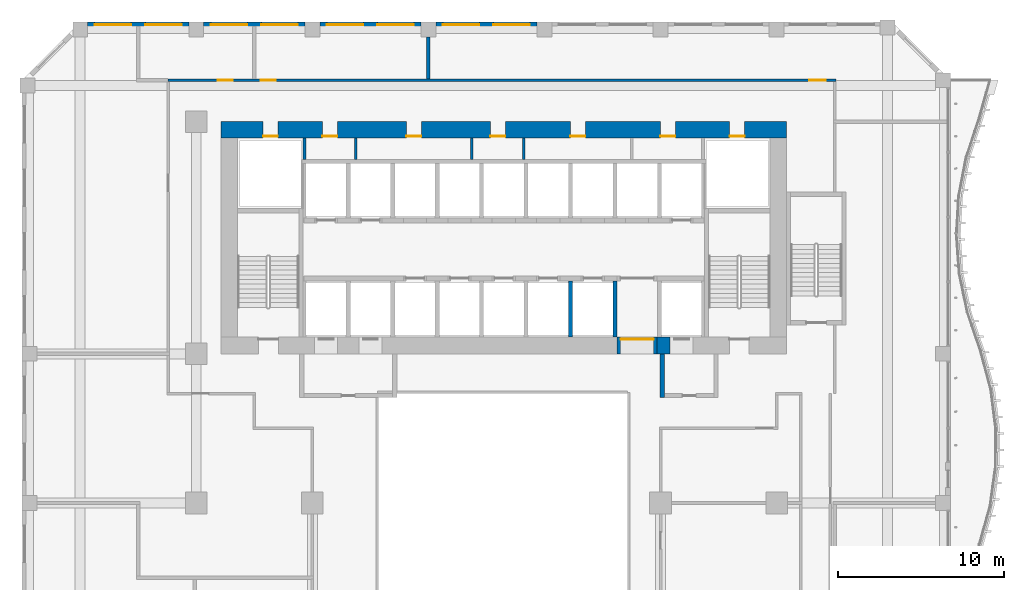
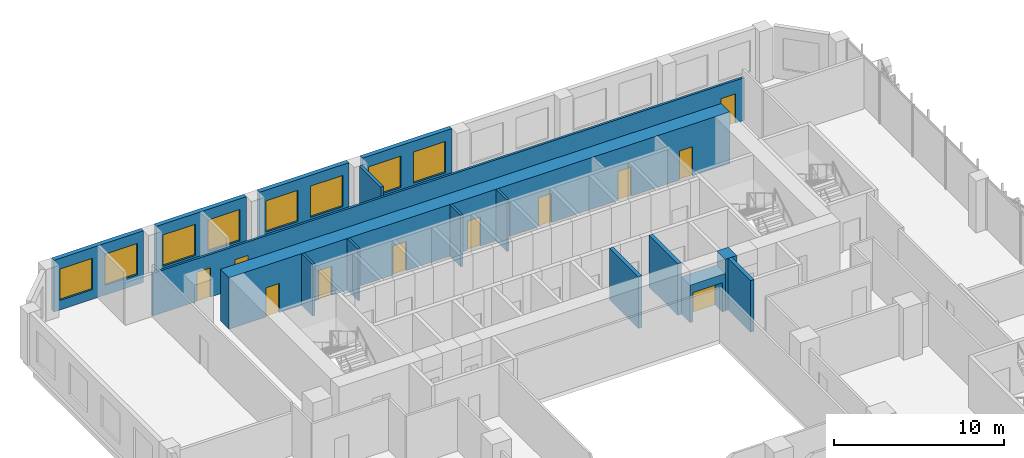
# One storey, part 16 of 27: 16 walls, 11 doors, 8 windows, 19 openings.
"""IFC4 building model written with IfcOpenShell, lengths in metres."""

from ifc_helpers import new_model, si_unit, direction, frame, frame_2d, origin, place, context, subcontext, project, spatial, rectangle, extrude, source, transform, mapped, material, layer, layer_set, type_object, element, fill, save


model = new_model("IFC4")

# Units and contexts
model_context = context("Model", 3, precision=1e-05, world=origin(), true_north=direction((0.0, 1.0)))
body_context = subcontext(model_context, "Body", "Model", "MODEL_VIEW")
ifc_project = project(units=[si_unit("LENGTHUNIT", "METRE"), si_unit("AREAUNIT", "SQUARE_METRE"), si_unit("VOLUMEUNIT", "CUBIC_METRE"), si_unit("PLANEANGLEUNIT", "RADIAN"), si_unit("MASSUNIT", "GRAM", prefix="KILO")], contexts=[model_context])

# Site, building, storey
site_placement = place(None, origin())
site = spatial("IfcSite", under=ifc_project, at=site_placement, CompositionType="ELEMENT")
building_placement = place(site_placement, origin())
building = spatial("IfcBuilding", under=site, at=building_placement, Name="Kilnfold Tower and Market Hall", CompositionType="ELEMENT")
storey_placement = place(building_placement, frame((0.0, 0.0, 51.0)))
storey = spatial("IfcBuildingStorey", under=building, at=storey_placement, Name="L11", CompositionType="ELEMENT", Elevation=51.0)

# Wall, openings, doors
ifc_material_1 = material(Name="Gypsum board on steel studs", Category="steel")
ifc_layer_1 = layer(ifc_material_1, 0.14990234375)
ifc_layer_set_1 = layer_set([ifc_layer_1], Name="Gypsum board on steel studs")
wall_type_1 = type_object("IfcWallType", Name="WALL CORRIDOR 150", PredefinedType="PARTITIONING", material=ifc_layer_set_1)
wall_1_placement = place(storey_placement, frame((-19.199951171875, 24.5, 0.0), z_axis=(0.0, 0.0, 1.0), x_axis=(1.0, 0.0, 0.0)))
wall_1 = element("IfcWall", 1, at=wall_1_placement, inside=storey, type_object=wall_type_1, Name="Partition LY10.40", PredefinedType="PARTITIONING", context=body_context, shape_type="SweptSolid", body=[
    extrude(rectangle(XDim=40.27490234375, YDim=0.14990234375, at=frame_2d((20.137451171875, 0.0))), origin(), (0.0, 0.0, 1.0), 3.070068359375),
])
opening_1_placement = place(wall_1_placement, frame((3.007080078125, 0.0, 0.0)))
opening_1 = element("IfcOpeningElement", 2, at=opening_1_placement, cuts=wall_1, Name="Opening D2", PredefinedType="OPENING", context=body_context, shape_type="SweptSolid", body=[
    extrude(rectangle(XDim=0.89990234375, YDim=2.10009765625, at=frame_2d((0.449951171875, 1.050048828125))), frame((0.0, 0.0849609375, 0.0), z_axis=(0.0, -1.0, 0.0), x_axis=(1.0, 0.0, 0.0)), (0.0, 0.0, 1.0), 0.169921875),
])
opening_2_placement = place(wall_1_placement, frame((5.590087890625, 0.0, 0.0)))
opening_2 = element("IfcOpeningElement", 3, at=opening_2_placement, cuts=wall_1, Name="Opening D3", PredefinedType="OPENING", context=body_context, shape_type="SweptSolid", body=[
    extrude(rectangle(XDim=0.89990234375, YDim=2.10009765625, at=frame_2d((0.449951171875, 1.050048828125))), frame((0.0, 0.0849609375, 0.0), z_axis=(0.0, -1.0, 0.0), x_axis=(1.0, 0.0, 0.0)), (0.0, 0.0, 1.0), 0.169921875),
])
opening_3_placement = place(wall_1_placement, frame((38.674072265625, 0.0, 0.0)))
opening_3 = element("IfcOpeningElement", 4, at=opening_3_placement, cuts=wall_1, Name="Opening D1", PredefinedType="OPENING", context=body_context, shape_type="SweptSolid", body=[
    extrude(rectangle(XDim=1.0, YDim=2.10009765625, at=frame_2d((0.5, 1.050048828125))), frame((0.0, 0.0849609375, 0.0), z_axis=(0.0, -1.0, 0.0), x_axis=(1.0, 0.0, 0.0)), (0.0, 0.0, 1.0), 0.169921875),
])
ifc_material_2 = material(Name="Timber veneer door leaf in steel frame", Category="steel")
door_type_1 = type_object("IfcDoorType", Name="DOOR ENTRY 1000 X2100", OperationType="NOTDEFINED", PredefinedType="DOOR", material=ifc_material_2)
door_1_placement = place(opening_3_placement, origin())
door_1 = element("IfcDoor", 5, at=door_1_placement, inside=storey, type_object=door_type_1, Name="Door D1", OperationType="SINGLE_SWING_LEFT", OverallHeight=2.10009765625, OverallWidth=1.0, PredefinedType="DOOR", context=body_context, shape_type="SweptSolid", body=[
    extrude(rectangle(XDim=1.0, YDim=2.10009765625, at=frame_2d((0.5, 1.050048828125))), frame((0.0, 0.02490234375, 0.0), z_axis=(0.0, -1.0, 0.0), x_axis=(1.0, 0.0, 0.0)), (0.0, 0.0, 1.0), 0.050048828125),
])
fill(opening_3, door_1)
ifc_material_3 = material(Name="Timber veneer door leaf in steel frame", Category="steel")
door_type_2 = type_object("IfcDoorType", Name="DOOR ROOM 900 X2100", OperationType="NOTDEFINED", PredefinedType="DOOR", material=ifc_material_3)
door_2_placement = place(opening_1_placement, origin())
door_2 = element("IfcDoor", 6, at=door_2_placement, inside=storey, type_object=door_type_2, Name="Door D2", OperationType="SINGLE_SWING_RIGHT", OverallHeight=2.10009765625, OverallWidth=0.89990234375, PredefinedType="DOOR", context=body_context, shape_type="SweptSolid", body=[
    extrude(rectangle(XDim=0.89990234375, YDim=2.10009765625, at=frame_2d((0.449951171875, 1.050048828125))), frame((0.0, 0.02490234375, 0.0), z_axis=(0.0, -1.0, 0.0), x_axis=(1.0, 0.0, 0.0)), (0.0, 0.0, 1.0), 0.050048828125),
])
fill(opening_1, door_2)
ifc_material_4 = material(Name="Timber veneer door leaf in steel frame", Category="steel")
door_type_3 = type_object("IfcDoorType", Name="DOOR WC 900 X2100", OperationType="NOTDEFINED", PredefinedType="DOOR", material=ifc_material_4)
door_3_placement = place(opening_2_placement, origin())
door_3 = element("IfcDoor", 7, at=door_3_placement, inside=storey, type_object=door_type_3, Name="Door D3", OperationType="SINGLE_SWING_LEFT", OverallHeight=2.10009765625, OverallWidth=0.89990234375, PredefinedType="DOOR", context=body_context, shape_type="SweptSolid", body=[
    extrude(rectangle(XDim=0.89990234375, YDim=2.10009765625, at=frame_2d((0.449951171875, 1.050048828125))), frame((0.0, 0.02490234375, 0.0), z_axis=(0.0, -1.0, 0.0), x_axis=(1.0, 0.0, 0.0)), (0.0, 0.0, 1.0), 0.050048828125),
])
fill(opening_2, door_3)

# Walls
ifc_material_5 = material(Name="Gypsum board on steel studs", Category="steel")
ifc_layer_2 = layer(ifc_material_5, 0.199951171875)
ifc_layer_set_2 = layer_set([ifc_layer_2], Name="Gypsum board on steel studs")
wall_type_2 = type_object("IfcWallType", Name="WALL PARTY 200", PredefinedType="PARTITIONING", material=ifc_layer_set_2)
wall_2_placement = place(storey_placement, frame((-3.5, 24.575927734375, 0.0), z_axis=(0.0, 0.0, 1.0), x_axis=(0.0, 1.0, 0.0)))
element("IfcWall", 8, at=wall_2_placement, inside=storey, type_object=wall_type_2, Name="Partition LY10.64", PredefinedType="PARTITIONING", context=body_context, shape_type="SweptSolid", body=[
    extrude(rectangle(XDim=2.524169921875, YDim=0.199951171875, at=frame_2d((1.26220703125, 0.0))), origin(), (0.0, 0.0, 1.0), 3.719970703125),
])
ifc_material_6 = material(Name="Concrete C80", Category="concrete")
ifc_layer_3 = layer(ifc_material_6, 1.0)
ifc_layer_set_3 = layer_set([ifc_layer_3], Name="Concrete C80")
wall_type_3 = type_object("IfcWallType", Name="CORE WALL 1000 C80", PredefinedType="SHEAR", material=ifc_layer_set_3)
shared_shape_1 = source(origin(), body_context, "Body", "SweptSolid", [
    extrude(rectangle(XDim=0.780029296875, YDim=1.0, at=frame_2d((0.39013671875, 0.0))), origin(), (0.0, 0.0, 1.0), 3.719970703125),
])
wall_3_placement = place(storey_placement, frame((10.2900390625, 8.5, 0.0), z_axis=(0.0, 0.0, 1.0), x_axis=(1.0, 0.0, 0.0)))
element("IfcWall", 9, at=wall_3_placement, inside=storey, type_object=wall_type_3, Name="Core outer wall south", PredefinedType="SHEAR", context=body_context, shape_type="MappedRepresentation", body=[
    mapped(shared_shape_1, transform((0.0, 0.0, 0.0))),
])

# Wall, openings, doors
shared_shape_2 = source(origin(), body_context, "Body", "SweptSolid", [
    extrude(rectangle(XDim=34.10009765625, YDim=1.0, at=frame_2d((17.050048828125, 0.0))), origin(), (0.0, 0.0, 1.0), 3.719970703125),
])
wall_4_placement = place(storey_placement, frame((-16.0, 21.5, 0.0), z_axis=(0.0, 0.0, 1.0), x_axis=(1.0, 0.0, 0.0)))
wall_4 = element("IfcWall", 10, at=wall_4_placement, inside=storey, type_object=wall_type_3, Name="Core outer wall north", PredefinedType="SHEAR", context=body_context, shape_type="MappedRepresentation", body=[
    mapped(shared_shape_2, transform((0.0, 0.0, 0.0))),
])
opening_4_placement = place(wall_4_placement, frame((6.10791015625, 0.0, 0.0)))
opening_4 = element("IfcOpeningElement", 11, at=opening_4_placement, cuts=wall_4, Name="Opening KD1", PredefinedType="OPENING", context=body_context, shape_type="SweptSolid", body=[
    extrude(rectangle(XDim=0.89990234375, YDim=2.10009765625, at=frame_2d((0.449951171875, 1.050048828125))), frame((0.0, 0.510009765625, 0.0), z_axis=(0.0, -1.0, 0.0), x_axis=(1.0, 0.0, 0.0)), (0.0, 0.0, 1.0), 1.02001953125),
])
opening_5_placement = place(wall_4_placement, frame((11.173095703125, 0.0, 0.0)))
opening_5 = element("IfcOpeningElement", 12, at=opening_5_placement, cuts=wall_4, Name="Opening KD1", PredefinedType="OPENING", context=body_context, shape_type="SweptSolid", body=[
    extrude(rectangle(XDim=0.89990234375, YDim=2.10009765625, at=frame_2d((0.449951171875, 1.050048828125))), frame((0.0, 0.510009765625, 0.0), z_axis=(0.0, -1.0, 0.0), x_axis=(1.0, 0.0, 0.0)), (0.0, 0.0, 1.0), 1.02001953125),
])
opening_6_placement = place(wall_4_placement, frame((16.23828125, 0.0, 0.0)))
opening_6 = element("IfcOpeningElement", 13, at=opening_6_placement, cuts=wall_4, Name="Opening KD1", PredefinedType="OPENING", context=body_context, shape_type="SweptSolid", body=[
    extrude(rectangle(XDim=0.89990234375, YDim=2.10009765625, at=frame_2d((0.449951171875, 1.050048828125))), frame((0.0, 0.510009765625, 0.0), z_axis=(0.0, -1.0, 0.0), x_axis=(1.0, 0.0, 0.0)), (0.0, 0.0, 1.0), 1.02001953125),
])
opening_7_placement = place(wall_4_placement, frame((21.062255859375, 0.0, 0.0)))
opening_7 = element("IfcOpeningElement", 14, at=opening_7_placement, cuts=wall_4, Name="Opening KD1", PredefinedType="OPENING", context=body_context, shape_type="SweptSolid", body=[
    extrude(rectangle(XDim=0.89990234375, YDim=2.10009765625, at=frame_2d((0.449951171875, 1.050048828125))), frame((0.0, 0.510009765625, 0.0), z_axis=(0.0, -1.0, 0.0), x_axis=(1.0, 0.0, 0.0)), (0.0, 0.0, 1.0), 1.02001953125),
])
opening_8_placement = place(wall_4_placement, frame((26.4892578125, 0.0, 0.0)))
opening_8 = element("IfcOpeningElement", 15, at=opening_8_placement, cuts=wall_4, Name="Opening KD1", PredefinedType="OPENING", context=body_context, shape_type="SweptSolid", body=[
    extrude(rectangle(XDim=0.89990234375, YDim=2.10009765625, at=frame_2d((0.449951171875, 1.050048828125))), frame((0.0, 0.510009765625, 0.0), z_axis=(0.0, -1.0, 0.0), x_axis=(1.0, 0.0, 0.0)), (0.0, 0.0, 1.0), 1.02001953125),
])
opening_9_placement = place(wall_4_placement, frame((2.52490234375, 0.0, 0.0)))
opening_9 = element("IfcOpeningElement", 16, at=opening_9_placement, cuts=wall_4, Name="Opening KD1", PredefinedType="OPENING", context=body_context, shape_type="SweptSolid", body=[
    extrude(rectangle(XDim=0.89990234375, YDim=2.10009765625, at=frame_2d((0.449951171875, 1.050048828125))), frame((0.0, 0.510009765625, 0.0), z_axis=(0.0, -1.0, 0.0), x_axis=(1.0, 0.0, 0.0)), (0.0, 0.0, 1.0), 1.02001953125),
])
opening_10_placement = place(wall_4_placement, frame((30.675048828125, 0.0, 0.0)))
opening_10 = element("IfcOpeningElement", 17, at=opening_10_placement, cuts=wall_4, Name="Opening KD1", PredefinedType="OPENING", context=body_context, shape_type="SweptSolid", body=[
    extrude(rectangle(XDim=0.89990234375, YDim=2.10009765625, at=frame_2d((0.449951171875, 1.050048828125))), frame((0.0, 0.510009765625, 0.0), z_axis=(0.0, -1.0, 0.0), x_axis=(1.0, 0.0, 0.0)), (0.0, 0.0, 1.0), 1.02001953125),
])
ifc_material_7 = material(Name="Steel door set with fire-resisting leaf", Category="steel")
door_type_4 = type_object("IfcDoorType", Name="SERVICE DOOR 900X2100", OperationType="NOTDEFINED", PredefinedType="DOOR", material=ifc_material_7)
door_4_placement = place(opening_4_placement, origin())
door_4 = element("IfcDoor", 18, at=door_4_placement, inside=storey, type_object=door_type_4, Name="Core service door", OperationType="SINGLE_SWING_RIGHT", OverallHeight=2.10009765625, OverallWidth=0.89990234375, PredefinedType="DOOR", context=body_context, shape_type="SweptSolid", body=[
    extrude(rectangle(XDim=0.89990234375, YDim=2.10009765625, at=frame_2d((0.449951171875, 1.050048828125))), frame((0.0, -0.35498046875, 0.0), z_axis=(0.0, -1.0, 0.0), x_axis=(1.0, 0.0, 0.0)), (0.0, 0.0, 1.0), 0.050048828125),
])
fill(opening_4, door_4)
door_5_placement = place(opening_5_placement, origin())
door_5 = element("IfcDoor", 19, at=door_5_placement, inside=storey, type_object=door_type_4, Name="Core service door", OperationType="SINGLE_SWING_LEFT", OverallHeight=2.10009765625, OverallWidth=0.89990234375, PredefinedType="DOOR", context=body_context, shape_type="SweptSolid", body=[
    extrude(rectangle(XDim=0.89990234375, YDim=2.10009765625, at=frame_2d((0.449951171875, 1.050048828125))), frame((0.0, -0.35498046875, 0.0), z_axis=(0.0, -1.0, 0.0), x_axis=(1.0, 0.0, 0.0)), (0.0, 0.0, 1.0), 0.050048828125),
])
fill(opening_5, door_5)
door_6_placement = place(opening_6_placement, origin())
door_6 = element("IfcDoor", 20, at=door_6_placement, inside=storey, type_object=door_type_4, Name="Core service door", OperationType="SINGLE_SWING_RIGHT", OverallHeight=2.10009765625, OverallWidth=0.89990234375, PredefinedType="DOOR", context=body_context, shape_type="SweptSolid", body=[
    extrude(rectangle(XDim=0.89990234375, YDim=2.10009765625, at=frame_2d((0.449951171875, 1.050048828125))), frame((0.0, -0.35498046875, 0.0), z_axis=(0.0, -1.0, 0.0), x_axis=(1.0, 0.0, 0.0)), (0.0, 0.0, 1.0), 0.050048828125),
])
fill(opening_6, door_6)
door_7_placement = place(opening_7_placement, origin())
door_7 = element("IfcDoor", 21, at=door_7_placement, inside=storey, type_object=door_type_4, Name="Core service door", OperationType="SINGLE_SWING_LEFT", OverallHeight=2.10009765625, OverallWidth=0.89990234375, PredefinedType="DOOR", context=body_context, shape_type="SweptSolid", body=[
    extrude(rectangle(XDim=0.89990234375, YDim=2.10009765625, at=frame_2d((0.449951171875, 1.050048828125))), frame((0.0, -0.35498046875, 0.0), z_axis=(0.0, -1.0, 0.0), x_axis=(1.0, 0.0, 0.0)), (0.0, 0.0, 1.0), 0.050048828125),
])
fill(opening_7, door_7)
door_8_placement = place(opening_8_placement, origin())
door_8 = element("IfcDoor", 22, at=door_8_placement, inside=storey, type_object=door_type_4, Name="Core service door", OperationType="SINGLE_SWING_RIGHT", OverallHeight=2.10009765625, OverallWidth=0.89990234375, PredefinedType="DOOR", context=body_context, shape_type="SweptSolid", body=[
    extrude(rectangle(XDim=0.89990234375, YDim=2.10009765625, at=frame_2d((0.449951171875, 1.050048828125))), frame((0.0, -0.35498046875, 0.0), z_axis=(0.0, -1.0, 0.0), x_axis=(1.0, 0.0, 0.0)), (0.0, 0.0, 1.0), 0.050048828125),
])
fill(opening_8, door_8)
door_9_placement = place(opening_9_placement, origin())
door_9 = element("IfcDoor", 23, at=door_9_placement, inside=storey, type_object=door_type_4, Name="Electrical riser access door", OperationType="SINGLE_SWING_LEFT", OverallHeight=2.10009765625, OverallWidth=0.89990234375, PredefinedType="DOOR", context=body_context, shape_type="SweptSolid", body=[
    extrude(rectangle(XDim=0.89990234375, YDim=2.10009765625, at=frame_2d((0.449951171875, 1.050048828125))), frame((0.0, -0.35498046875, 0.0), z_axis=(0.0, -1.0, 0.0), x_axis=(1.0, 0.0, 0.0)), (0.0, 0.0, 1.0), 0.050048828125),
])
fill(opening_9, door_9)
door_10_placement = place(opening_10_placement, origin())
door_10 = element("IfcDoor", 24, at=door_10_placement, inside=storey, type_object=door_type_4, Name="Mechanical riser access door", OperationType="SINGLE_SWING_RIGHT", OverallHeight=2.10009765625, OverallWidth=0.89990234375, PredefinedType="DOOR", context=body_context, shape_type="SweptSolid", body=[
    extrude(rectangle(XDim=0.89990234375, YDim=2.10009765625, at=frame_2d((0.449951171875, 1.050048828125))), frame((0.0, -0.35498046875, 0.0), z_axis=(0.0, -1.0, 0.0), x_axis=(1.0, 0.0, 0.0)), (0.0, 0.0, 1.0), 0.050048828125),
])
fill(opening_10, door_10)

# Wall, openings, windows
ifc_material_8 = material(Name="Precast concrete C50/60", Category="concrete")
ifc_layer_4 = layer(ifc_material_8, 0.300048828125)
ifc_layer_set_4 = layer_set([ifc_layer_4], Name="Precast concrete C50/60")
wall_type_4 = type_object("IfcWallType", Name="PRECAST WALL 300", PredefinedType="SOLIDWALL", material=ifc_layer_set_4)
shared_shape_3 = source(origin(), body_context, "Body", "SweptSolid", [
    extrude(rectangle(XDim=6.10009765625, YDim=0.300048828125, at=frame_2d((3.050048828125, 0.0))), origin(), (0.0, 0.0, 1.0), 3.719970703125),
])
wall_5_placement = place(storey_placement, frame((3.050048828125, 27.85009765625, 0.0), z_axis=(0.0, 0.0, 1.0), x_axis=(-1.0, 0.0, 0.0)))
wall_5 = element("IfcWall", 25, at=wall_5_placement, inside=storey, type_object=wall_type_4, Name="External wall L11 N", PredefinedType="SOLIDWALL", context=body_context, shape_type="MappedRepresentation", body=[
    mapped(shared_shape_3, transform((0.0, 0.0, 0.0))),
])
opening_11_placement = place(wall_5_placement, frame((0.425048828125, 0.0, 0.699951171875)))
opening_11 = element("IfcOpeningElement", 26, at=opening_11_placement, cuts=wall_5, Name="Opening W1", PredefinedType="OPENING", context=body_context, shape_type="SweptSolid", body=[
    extrude(rectangle(XDim=2.199951171875, YDim=2.25, at=frame_2d((1.10009765625, 1.125))), frame((0.0, 0.16015625, 0.0), z_axis=(0.0, -1.0, 0.0), x_axis=(1.0, 0.0, 0.0)), (0.0, 0.0, 1.0), 0.320068359375),
])
opening_12_placement = place(wall_5_placement, frame((3.47509765625, 0.0, 0.699951171875)))
opening_12 = element("IfcOpeningElement", 27, at=opening_12_placement, cuts=wall_5, Name="Opening W1", PredefinedType="OPENING", context=body_context, shape_type="SweptSolid", body=[
    extrude(rectangle(XDim=2.199951171875, YDim=2.25, at=frame_2d((1.10009765625, 1.125))), frame((0.0, 0.16015625, 0.0), z_axis=(0.0, -1.0, 0.0), x_axis=(1.0, 0.0, 0.0)), (0.0, 0.0, 1.0), 0.320068359375),
])
ifc_material_9 = material(Name="Aluminium frame and double glazing", Category="aluminium")
window_type = type_object("IfcWindowType", Name="WINDOW W1 2200X2250", PartitioningType="SINGLE_PANEL", PredefinedType="WINDOW", material=ifc_material_9)
window_1_placement = place(opening_11_placement, origin())
window_1 = element("IfcWindow", 28, at=window_1_placement, inside=storey, type_object=window_type, Name="Window W1 L11 N-1", OverallHeight=2.25, OverallWidth=2.199951171875, PartitioningType="SINGLE_PANEL", PredefinedType="WINDOW", context=body_context, shape_type="SweptSolid", body=[
    extrude(rectangle(XDim=2.199951171875, YDim=2.25, at=frame_2d((1.10009765625, 1.125))), frame((0.0, 0.030029296875, 0.0), z_axis=(0.0, -1.0, 0.0), x_axis=(1.0, 0.0, 0.0)), (0.0, 0.0, 1.0), 0.06005859375),
])
fill(opening_11, window_1)
window_2_placement = place(opening_12_placement, origin())
window_2 = element("IfcWindow", 29, at=window_2_placement, inside=storey, type_object=window_type, Name="Window W1 L11 N-2", OverallHeight=2.25, OverallWidth=2.199951171875, PartitioningType="SINGLE_PANEL", PredefinedType="WINDOW", context=body_context, shape_type="SweptSolid", body=[
    extrude(rectangle(XDim=2.199951171875, YDim=2.25, at=frame_2d((1.10009765625, 1.125))), frame((0.0, 0.030029296875, 0.0), z_axis=(0.0, -1.0, 0.0), x_axis=(1.0, 0.0, 0.0)), (0.0, 0.0, 1.0), 0.06005859375),
])
fill(opening_12, window_2)

wall_6_placement = place(storey_placement, frame((-3.949951171875, 27.85009765625, 0.0), z_axis=(0.0, 0.0, 1.0), x_axis=(-1.0, 0.0, 0.0)))
wall_6 = element("IfcWall", 30, at=wall_6_placement, inside=storey, type_object=wall_type_4, Name="External wall L11 N", PredefinedType="SOLIDWALL", context=body_context, shape_type="MappedRepresentation", body=[
    mapped(shared_shape_3, transform((0.0, 0.0, 0.0))),
])
opening_13_placement = place(wall_6_placement, frame((0.425048828125, 0.0, 0.699951171875)))
opening_13 = element("IfcOpeningElement", 31, at=opening_13_placement, cuts=wall_6, Name="Opening W1", PredefinedType="OPENING", context=body_context, shape_type="SweptSolid", body=[
    extrude(rectangle(XDim=2.199951171875, YDim=2.25, at=frame_2d((1.10009765625, 1.125))), frame((0.0, 0.16015625, 0.0), z_axis=(0.0, -1.0, 0.0), x_axis=(1.0, 0.0, 0.0)), (0.0, 0.0, 1.0), 0.320068359375),
])
opening_14_placement = place(wall_6_placement, frame((3.47509765625, 0.0, 0.699951171875)))
opening_14 = element("IfcOpeningElement", 32, at=opening_14_placement, cuts=wall_6, Name="Opening W1", PredefinedType="OPENING", context=body_context, shape_type="SweptSolid", body=[
    extrude(rectangle(XDim=2.199951171875, YDim=2.25, at=frame_2d((1.10009765625, 1.125))), frame((0.0, 0.16015625, 0.0), z_axis=(0.0, -1.0, 0.0), x_axis=(1.0, 0.0, 0.0)), (0.0, 0.0, 1.0), 0.320068359375),
])
window_3_placement = place(opening_13_placement, origin())
window_3 = element("IfcWindow", 33, at=window_3_placement, inside=storey, type_object=window_type, Name="Window W1 L11 N-1", OverallHeight=2.25, OverallWidth=2.199951171875, PartitioningType="SINGLE_PANEL", PredefinedType="WINDOW", context=body_context, shape_type="SweptSolid", body=[
    extrude(rectangle(XDim=2.199951171875, YDim=2.25, at=frame_2d((1.10009765625, 1.125))), frame((0.0, 0.030029296875, 0.0), z_axis=(0.0, -1.0, 0.0), x_axis=(1.0, 0.0, 0.0)), (0.0, 0.0, 1.0), 0.06005859375),
])
fill(opening_13, window_3)
window_4_placement = place(opening_14_placement, origin())
window_4 = element("IfcWindow", 34, at=window_4_placement, inside=storey, type_object=window_type, Name="Window W1 L11 N-2", OverallHeight=2.25, OverallWidth=2.199951171875, PartitioningType="SINGLE_PANEL", PredefinedType="WINDOW", context=body_context, shape_type="SweptSolid", body=[
    extrude(rectangle(XDim=2.199951171875, YDim=2.25, at=frame_2d((1.10009765625, 1.125))), frame((0.0, 0.030029296875, 0.0), z_axis=(0.0, -1.0, 0.0), x_axis=(1.0, 0.0, 0.0)), (0.0, 0.0, 1.0), 0.06005859375),
])
fill(opening_14, window_4)

wall_7_placement = place(storey_placement, frame((-10.949951171875, 27.85009765625, 0.0), z_axis=(0.0, 0.0, 1.0), x_axis=(-1.0, 0.0, 0.0)))
wall_7 = element("IfcWall", 35, at=wall_7_placement, inside=storey, type_object=wall_type_4, Name="External wall L11 N", PredefinedType="SOLIDWALL", context=body_context, shape_type="MappedRepresentation", body=[
    mapped(shared_shape_3, transform((0.0, 0.0, 0.0))),
])
opening_15_placement = place(wall_7_placement, frame((0.425048828125, 0.0, 0.699951171875)))
opening_15 = element("IfcOpeningElement", 36, at=opening_15_placement, cuts=wall_7, Name="Opening W1", PredefinedType="OPENING", context=body_context, shape_type="SweptSolid", body=[
    extrude(rectangle(XDim=2.199951171875, YDim=2.25, at=frame_2d((1.10009765625, 1.125))), frame((0.0, 0.16015625, 0.0), z_axis=(0.0, -1.0, 0.0), x_axis=(1.0, 0.0, 0.0)), (0.0, 0.0, 1.0), 0.320068359375),
])
opening_16_placement = place(wall_7_placement, frame((3.47509765625, 0.0, 0.699951171875)))
opening_16 = element("IfcOpeningElement", 37, at=opening_16_placement, cuts=wall_7, Name="Opening W1", PredefinedType="OPENING", context=body_context, shape_type="SweptSolid", body=[
    extrude(rectangle(XDim=2.199951171875, YDim=2.25, at=frame_2d((1.10009765625, 1.125))), frame((0.0, 0.16015625, 0.0), z_axis=(0.0, -1.0, 0.0), x_axis=(1.0, 0.0, 0.0)), (0.0, 0.0, 1.0), 0.320068359375),
])
window_5_placement = place(opening_15_placement, origin())
window_5 = element("IfcWindow", 38, at=window_5_placement, inside=storey, type_object=window_type, Name="Window W1 L11 N-1", OverallHeight=2.25, OverallWidth=2.199951171875, PartitioningType="SINGLE_PANEL", PredefinedType="WINDOW", context=body_context, shape_type="SweptSolid", body=[
    extrude(rectangle(XDim=2.199951171875, YDim=2.25, at=frame_2d((1.10009765625, 1.125))), frame((0.0, 0.030029296875, 0.0), z_axis=(0.0, -1.0, 0.0), x_axis=(1.0, 0.0, 0.0)), (0.0, 0.0, 1.0), 0.06005859375),
])
fill(opening_15, window_5)
window_6_placement = place(opening_16_placement, origin())
window_6 = element("IfcWindow", 39, at=window_6_placement, inside=storey, type_object=window_type, Name="Window W1 L11 N-2", OverallHeight=2.25, OverallWidth=2.199951171875, PartitioningType="SINGLE_PANEL", PredefinedType="WINDOW", context=body_context, shape_type="SweptSolid", body=[
    extrude(rectangle(XDim=2.199951171875, YDim=2.25, at=frame_2d((1.10009765625, 1.125))), frame((0.0, 0.030029296875, 0.0), z_axis=(0.0, -1.0, 0.0), x_axis=(1.0, 0.0, 0.0)), (0.0, 0.0, 1.0), 0.06005859375),
])
fill(opening_16, window_6)

wall_8_placement = place(storey_placement, frame((-17.949951171875, 27.85009765625, 0.0), z_axis=(0.0, 0.0, 1.0), x_axis=(-1.0, 0.0, 0.0)))
wall_8 = element("IfcWall", 40, at=wall_8_placement, inside=storey, type_object=wall_type_4, Name="External wall L11 N", PredefinedType="SOLIDWALL", context=body_context, shape_type="MappedRepresentation", body=[
    mapped(shared_shape_3, transform((0.0, 0.0, 0.0))),
])
opening_17_placement = place(wall_8_placement, frame((0.425048828125, 0.0, 0.699951171875)))
opening_17 = element("IfcOpeningElement", 41, at=opening_17_placement, cuts=wall_8, Name="Opening W1", PredefinedType="OPENING", context=body_context, shape_type="SweptSolid", body=[
    extrude(rectangle(XDim=2.199951171875, YDim=2.25, at=frame_2d((1.10009765625, 1.125))), frame((0.0, 0.16015625, 0.0), z_axis=(0.0, -1.0, 0.0), x_axis=(1.0, 0.0, 0.0)), (0.0, 0.0, 1.0), 0.320068359375),
])
opening_18_placement = place(wall_8_placement, frame((3.47509765625, 0.0, 0.699951171875)))
opening_18 = element("IfcOpeningElement", 42, at=opening_18_placement, cuts=wall_8, Name="Opening W1", PredefinedType="OPENING", context=body_context, shape_type="SweptSolid", body=[
    extrude(rectangle(XDim=2.199951171875, YDim=2.25, at=frame_2d((1.10009765625, 1.125))), frame((0.0, 0.16015625, 0.0), z_axis=(0.0, -1.0, 0.0), x_axis=(1.0, 0.0, 0.0)), (0.0, 0.0, 1.0), 0.320068359375),
])
window_7_placement = place(opening_17_placement, origin())
window_7 = element("IfcWindow", 43, at=window_7_placement, inside=storey, type_object=window_type, Name="Window W1 L11 N-1", OverallHeight=2.25, OverallWidth=2.199951171875, PartitioningType="SINGLE_PANEL", PredefinedType="WINDOW", context=body_context, shape_type="SweptSolid", body=[
    extrude(rectangle(XDim=2.199951171875, YDim=2.25, at=frame_2d((1.10009765625, 1.125))), frame((0.0, 0.030029296875, 0.0), z_axis=(0.0, -1.0, 0.0), x_axis=(1.0, 0.0, 0.0)), (0.0, 0.0, 1.0), 0.06005859375),
])
fill(opening_17, window_7)
window_8_placement = place(opening_18_placement, origin())
window_8 = element("IfcWindow", 44, at=window_8_placement, inside=storey, type_object=window_type, Name="Window W1 L11 N-2", OverallHeight=2.25, OverallWidth=2.199951171875, PartitioningType="SINGLE_PANEL", PredefinedType="WINDOW", context=body_context, shape_type="SweptSolid", body=[
    extrude(rectangle(XDim=2.199951171875, YDim=2.25, at=frame_2d((1.10009765625, 1.125))), frame((0.0, 0.030029296875, 0.0), z_axis=(0.0, -1.0, 0.0), x_axis=(1.0, 0.0, 0.0)), (0.0, 0.0, 1.0), 0.06005859375),
])
fill(opening_18, window_8)

# Wall, opening, door
ifc_material_10 = material(Name="Gypsum shaft wall system")
ifc_layer_5 = layer(ifc_material_10, 1.0)
ifc_layer_set_5 = layer_set([ifc_layer_5], Name="Gypsum shaft wall system")
wall_type_5 = type_object("IfcWallType", Name="LOBBY WALL 1000", PredefinedType="PARTITIONING", material=ifc_layer_set_5)
shared_shape_4 = source(origin(), body_context, "Body", "SweptSolid", [
    extrude(rectangle(XDim=2.400146484375, YDim=1.0, at=frame_2d((1.2001953125, 0.0))), origin(), (0.0, 0.0, 1.0), 2.699951171875),
])
wall_9_placement = place(storey_placement, frame((7.889892578125, 8.5, 0.0), z_axis=(0.0, 0.0, 1.0), x_axis=(1.0, 0.0, 0.0)))
wall_9 = element("IfcWall", 45, at=wall_9_placement, inside=storey, type_object=wall_type_5, Name="Core wall infill", PredefinedType="PARTITIONING", context=body_context, shape_type="MappedRepresentation", body=[
    mapped(shared_shape_4, transform((0.0, 0.0, 0.0))),
])
opening_19_placement = place(wall_9_placement, frame((0.199951171875, 0.0, 0.0)))
opening_19 = element("IfcOpeningElement", 46, at=opening_19_placement, cuts=wall_9, Name="Opening VD2", PredefinedType="OPENING", context=body_context, shape_type="SweptSolid", body=[
    extrude(rectangle(XDim=2.0, YDim=2.10009765625, at=frame_2d((1.0, 1.050048828125))), frame((0.0, 0.510009765625, 0.0), z_axis=(0.0, -1.0, 0.0), x_axis=(1.0, 0.0, 0.0)), (0.0, 0.0, 1.0), 1.02001953125),
])
ifc_material_11 = material(Name="Steel door set with fire-resisting leaf", Category="steel")
door_type_5 = type_object("IfcDoorType", Name="LIFT LOBBY ENTRANCE DOOR 2000X2100", OperationType="NOTDEFINED", PredefinedType="DOOR", material=ifc_material_11)
door_11_placement = place(opening_19_placement, origin())
door_11 = element("IfcDoor", 47, at=door_11_placement, inside=storey, type_object=door_type_5, Name="Lift lobby entrance door", OperationType="DOUBLE_DOOR_SINGLE_SWING", OverallHeight=2.10009765625, OverallWidth=2.0, PredefinedType="DOOR", context=body_context, shape_type="SweptSolid", body=[
    extrude(rectangle(XDim=2.0, YDim=2.10009765625, at=frame_2d((1.0, 1.050048828125))), frame((0.0, 0.40478515625, 0.0), z_axis=(0.0, -1.0, 0.0), x_axis=(1.0, 0.0, 0.0)), (0.0, 0.0, 1.0), 0.050048828125),
])
fill(opening_19, door_11)

# Walls
ifc_material_12 = material(Name="Gypsum shaft wall system")
ifc_layer_6 = layer(ifc_material_12, 0.25)
ifc_layer_set_6 = layer_set([ifc_layer_6], Name="Gypsum shaft wall system")
wall_type_6 = type_object("IfcWallType", Name="LOBBY WALL 250", PredefinedType="PARTITIONING", material=ifc_layer_set_6)
shared_shape_5 = source(origin(), body_context, "Body", "SweptSolid", [
    extrude(rectangle(XDim=2.64990234375, YDim=0.25, at=frame_2d((1.324951171875, 0.0))), origin(), (0.0, 0.0, 1.0), 3.719970703125),
])
wall_10_placement = place(storey_placement, frame((10.60498046875, 5.35009765625, 0.0), z_axis=(0.0, 0.0, 1.0), x_axis=(0.0, 1.0, 0.0)))
element("IfcWall", 48, at=wall_10_placement, inside=storey, type_object=wall_type_6, Name="Firefighting lobby wall", PredefinedType="PARTITIONING", context=body_context, shape_type="MappedRepresentation", body=[
    mapped(shared_shape_5, transform((0.0, 0.0, 0.0))),
])
ifc_material_13 = material(Name="Gypsum shaft wall system")
ifc_layer_7 = layer(ifc_material_13, 0.1650390625)
ifc_layer_set_7 = layer_set([ifc_layer_7], Name="Gypsum shaft wall system")
wall_type_7 = type_object("IfcWallType", Name="SHAFT WALL 165", PredefinedType="PARTITIONING", material=ifc_layer_set_7)
shared_shape_6 = source(origin(), body_context, "Body", "SweptSolid", [
    extrude(rectangle(XDim=1.27490234375, YDim=0.1650390625, at=frame_2d((0.637451171875, 0.0))), origin(), (0.0, 0.0, 1.0), 3.719970703125),
])
wall_11_placement = place(storey_placement, frame((-10.967529296875, 19.72509765625, 0.0), z_axis=(0.0, 0.0, 1.0), x_axis=(0.0, 1.0, 0.0)))
element("IfcWall", 49, at=wall_11_placement, inside=storey, type_object=wall_type_7, Name="Lift shaft wall", PredefinedType="PARTITIONING", context=body_context, shape_type="MappedRepresentation", body=[
    mapped(shared_shape_6, transform((0.0, 0.0, 0.0))),
])
ifc_material_14 = material(Name="Gypsum shaft wall system")
ifc_layer_8 = layer(ifc_material_14, 0.25)
ifc_layer_set_8 = layer_set([ifc_layer_8], Name="Gypsum shaft wall system")
wall_type_8 = type_object("IfcWallType", Name="SHAFT WALL 250", PredefinedType="PARTITIONING", material=ifc_layer_set_8)
shared_shape_7 = source(origin(), body_context, "Body", "SweptSolid", [
    extrude(rectangle(XDim=3.39990234375, YDim=0.25, at=frame_2d((1.699951171875, 0.0))), origin(), (0.0, 0.0, 1.0), 3.719970703125),
])
for number, where, z_axis, x_axis, name in (
    (50, (5.070068359375, 9.0, 0.0), (0.0, 0.0, 1.0), (0.0, 1.0, 0.0), "Lift shaft wall"),
    (51, (7.75, 9.0, 0.0), (0.0, 0.0, 1.0), (0.0, 1.0, 0.0), "Lift shaft wall"),
):
    element("IfcWall", number, at=place(storey_placement, frame(where, z_axis=z_axis, x_axis=x_axis)), inside=storey, type_object=wall_type_8, Name=name, PredefinedType="PARTITIONING", context=body_context, shape_type="MappedRepresentation", body=[
        mapped(shared_shape_7, transform((0.0, 0.0, 0.0))),
    ])
ifc_material_15 = material(Name="Gypsum shaft wall system")
ifc_layer_9 = layer(ifc_material_15, 0.14990234375)
ifc_layer_set_9 = layer_set([ifc_layer_9], Name="Gypsum shaft wall system")
wall_type_9 = type_object("IfcWallType", Name="ROOM WALL 150", PredefinedType="PARTITIONING", material=ifc_layer_set_9)
shared_shape_8 = source(origin(), body_context, "Body", "SweptSolid", [
    extrude(rectangle(XDim=1.27490234375, YDim=0.14990234375, at=frame_2d((0.637451171875, 0.0))), origin(), (0.0, 0.0, 1.0), 3.719970703125),
])
for number, where, z_axis, x_axis, name in (
    (52, (-7.87451171875, 19.72509765625, 0.0), (0.0, 0.0, 1.0), (0.0, 1.0, 0.0), "Core room wall"),
    (53, (-0.879638671875, 19.72509765625, 0.0), (0.0, 0.0, 1.0), (0.0, 1.0, 0.0), "Core room wall"),
    (54, (2.256103515625, 19.72509765625, 0.0), (0.0, 0.0, 1.0), (0.0, 1.0, 0.0), "Core room wall"),
):
    element("IfcWall", number, at=place(storey_placement, frame(where, z_axis=z_axis, x_axis=x_axis)), inside=storey, type_object=wall_type_9, Name=name, PredefinedType="PARTITIONING", context=body_context, shape_type="MappedRepresentation", body=[
        mapped(shared_shape_8, transform((0.0, 0.0, 0.0))),
    ])

save(model, "model.ifc")
